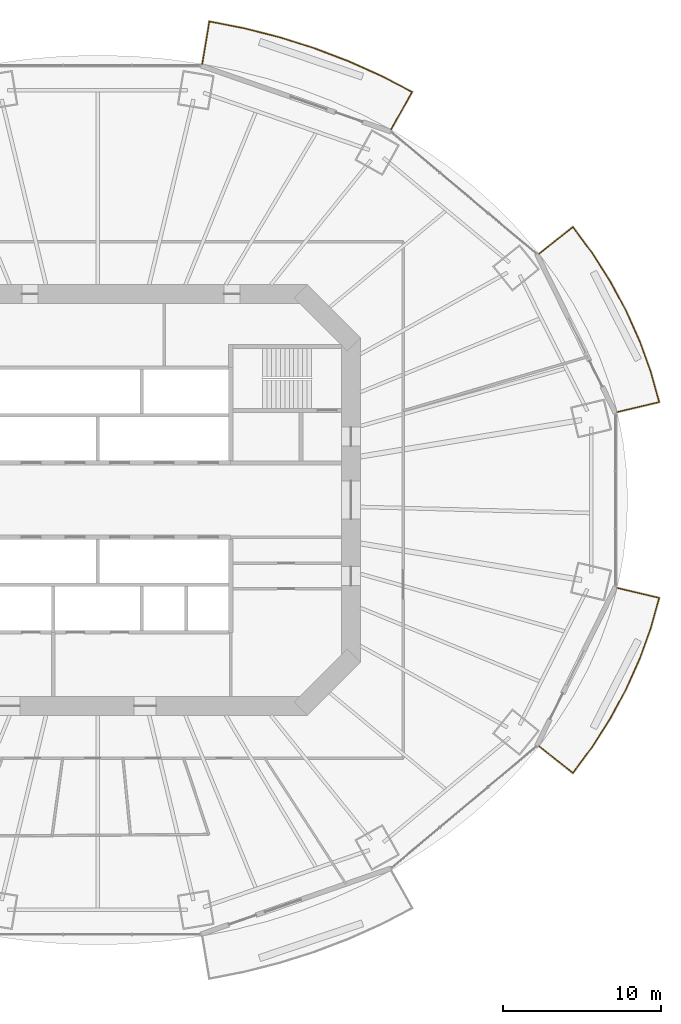
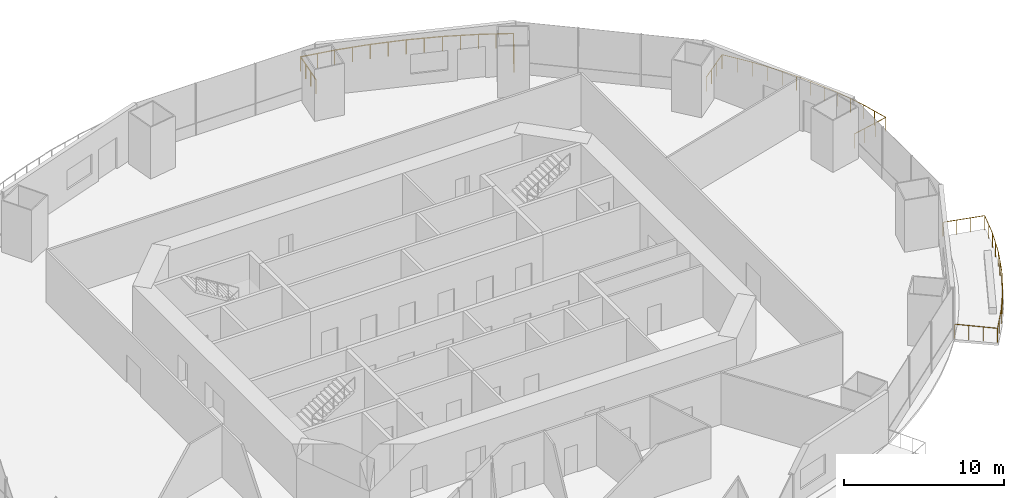
# One storey, part 17 of 18: 3 railings.
"""IFC4 building model written with IfcOpenShell, lengths in metres."""

from ifc_helpers import new_model, si_unit, direction, frame, origin, origin_2d, place, context, subcontext, project, spatial, circle, extrude, material, type_object, element, save


model = new_model("IFC4")

# Units and contexts
model_context = context("Model", 3, precision=1e-05, world=origin(), true_north=direction((0.0, 1.0)))
body_context = subcontext(model_context, "Body", "Model", "MODEL_VIEW")
ifc_project = project(units=[si_unit("LENGTHUNIT", "METRE"), si_unit("AREAUNIT", "SQUARE_METRE"), si_unit("VOLUMEUNIT", "CUBIC_METRE"), si_unit("PLANEANGLEUNIT", "RADIAN"), si_unit("MASSUNIT", "GRAM", prefix="KILO")], contexts=[model_context])

# Site, building, storey
site_placement = place(None, origin())
site = spatial("IfcSite", under=ifc_project, at=site_placement, CompositionType="ELEMENT")
building_placement = place(site_placement, origin())
building = spatial("IfcBuilding", under=site, at=building_placement, Name="Marenthal Gate Tower", CompositionType="ELEMENT")
storey_placement = place(building_placement, frame((0.0, 0.0, 140.89990234375)))
storey = spatial("IfcBuildingStorey", under=building, at=storey_placement, Name="L30", CompositionType="ELEMENT", Elevation=140.89990234375)

# Railings
ifc_material = material(Name="Stainless steel", Category="steel")
railing_type = type_object("IfcRailingType", Name="Balcony guard 1100", PredefinedType="GUARDRAIL", material=ifc_material)
railing_1_placement = place(storey_placement, frame((27.872314453125, 15.5361328125, 0.0)))
element("IfcRailing", 1, at=railing_1_placement, inside=storey, type_object=railing_type, Name="Balcony guard L30 bay 1", PredefinedType="GUARDRAIL", context=body_context, shape_type="SweptSolid", body=[
    extrude(circle(Radius=0.02392578125, at=origin_2d()), frame((0.0, 0.0, 1.076171875), z_axis=(0.782498431461, 0.622480688222, -0.014628655159), x_axis=(-0.622547303586, 0.782582171275, 0.0)), (0.0, 0.0, 1.0), 2.720458984375),
    extrude(circle(Radius=0.02392578125, at=origin_2d()), frame((2.128662109375, 1.693359375, 1.0361328125), z_axis=(0.594330839548, -0.80422064955, 0.0), x_axis=(0.80422064955, 0.594330839548, 0.0)), (0.0, 0.0, 1.0), 2.0517578125),
    extrude(circle(Radius=0.02392578125, at=origin_2d()), frame((3.34814453125, 0.043212890625, 1.0361328125), z_axis=(0.537211554798, -0.843447535649, 0.0), x_axis=(0.843447535649, 0.537211554798, 0.0)), (0.0, 0.0, 1.0), 2.114990234375),
    extrude(circle(Radius=0.02392578125, at=origin_2d()), frame((4.484375, -1.74072265625, 1.0361328125), z_axis=(0.475084098287, -0.879940395456, 0.0), x_axis=(0.879940395456, 0.475084098287, 0.0)), (0.0, 0.0, 1.0), 2.099853515625),
    extrude(circle(Radius=0.02392578125, at=origin_2d()), frame((5.48193359375, -3.58837890625, 1.0361328125), z_axis=(0.409274320643, -0.912411382252, 0.0), x_axis=(0.912411382252, 0.409274320643, 0.0)), (0.0, 0.0, 1.0), 2.0859375),
    extrude(circle(Radius=0.02392578125, at=origin_2d()), frame((6.335693359375, -5.49169921875, 1.0361328125), z_axis=(0.339927901039, -0.940451499066, 0.0), x_axis=(0.940451499066, 0.339927901039, 0.0)), (0.0, 0.0, 1.0), 2.07421875),
    extrude(circle(Radius=0.02392578125, at=origin_2d()), frame((7.040771484375, -7.4423828125, 1.0361328125), z_axis=(0.269159912303, -0.963095499735, 0.0), x_axis=(0.963095499735, 0.269159912303, 0.0)), (0.0, 0.0, 1.0), 1.984619140625),
    extrude(circle(Radius=0.02392578125, at=origin_2d()), frame((7.574951171875, -9.353759765625, 1.0361328125), z_axis=(-0.972968211955, -0.230475266885, 0.01462907652), x_axis=(0.230499932836, -0.973072341074, 0.0)), (0.0, 0.0, 1.0), 2.72021484375),
    extrude(circle(Radius=0.02099609375, at=origin_2d()), origin(), (0.0, 0.0, 1.0), 1.052001953125),
    extrude(circle(Radius=0.02099609375, at=origin_2d()), frame((0.70947265625, 0.564453125, -0.01318359375)), (0.0, 0.0, 1.0), 1.052001953125),
    extrude(circle(Radius=0.02099609375, at=origin_2d()), frame((1.419189453125, 1.12890625, -0.026611328125)), (0.0, 0.0, 1.0), 1.052001953125),
    extrude(circle(Radius=0.02099609375, at=origin_2d()), frame((2.128662109375, 1.693359375, -0.039794921875)), (0.0, 0.0, 1.0), 1.052001953125),
    extrude(circle(Radius=0.02099609375, at=origin_2d()), frame((2.73828125, 0.8681640625, -0.039794921875)), (0.0, 0.0, 1.0), 1.052001953125),
    extrude(circle(Radius=0.02099609375, at=origin_2d()), frame((3.34814453125, 0.043212890625, -0.039794921875)), (0.0, 0.0, 1.0), 1.052001953125),
    extrude(circle(Radius=0.02099609375, at=origin_2d()), frame((3.916259765625, -0.8486328125, -0.039794921875)), (0.0, 0.0, 1.0), 1.052001953125),
    extrude(circle(Radius=0.02099609375, at=origin_2d()), frame((4.484375, -1.74072265625, -0.039794921875)), (0.0, 0.0, 1.0), 1.052001953125),
    extrude(circle(Radius=0.02099609375, at=origin_2d()), frame((4.983154296875, -2.66455078125, -0.039794921875)), (0.0, 0.0, 1.0), 1.052001953125),
    extrude(circle(Radius=0.02099609375, at=origin_2d()), frame((5.48193359375, -3.58837890625, -0.039794921875)), (0.0, 0.0, 1.0), 1.052001953125),
    extrude(circle(Radius=0.02099609375, at=origin_2d()), frame((5.90869140625, -4.5400390625, -0.039794921875)), (0.0, 0.0, 1.0), 1.052001953125),
    extrude(circle(Radius=0.02099609375, at=origin_2d()), frame((6.335693359375, -5.49169921875, -0.039794921875)), (0.0, 0.0, 1.0), 1.052001953125),
    extrude(circle(Radius=0.02099609375, at=origin_2d()), frame((6.688232421875, -6.467041015625, -0.039794921875)), (0.0, 0.0, 1.0), 1.052001953125),
    extrude(circle(Radius=0.02099609375, at=origin_2d()), frame((7.040771484375, -7.4423828125, -0.039794921875)), (0.0, 0.0, 1.0), 1.052001953125),
    extrude(circle(Radius=0.02099609375, at=origin_2d()), frame((7.307861328125, -8.39794921875, -0.039794921875)), (0.0, 0.0, 1.0), 1.052001953125),
    extrude(circle(Radius=0.02099609375, at=origin_2d()), frame((7.574951171875, -9.353759765625, -0.039794921875)), (0.0, 0.0, 1.0), 1.052001953125),
    extrude(circle(Radius=0.02099609375, at=origin_2d()), frame((6.692626953125, -9.562744140625, -0.026611328125)), (0.0, 0.0, 1.0), 1.052001953125),
    extrude(circle(Radius=0.02099609375, at=origin_2d()), frame((5.810546875, -9.771728515625, -0.01318359375)), (0.0, 0.0, 1.0), 1.052001953125),
    extrude(circle(Radius=0.02099609375, at=origin_2d()), frame((4.92822265625, -9.980712890625, 0.0)), (0.0, 0.0, 1.0), 1.052001953125),
])
railing_2_placement = place(storey_placement, frame((6.60693359375, 27.5244140625, 0.0)))
element("IfcRailing", 2, at=railing_2_placement, inside=storey, type_object=railing_type, Name="Balcony guard L30 bay 3", PredefinedType="GUARDRAIL", context=body_context, shape_type="SweptSolid", body=[
    extrude(circle(Radius=0.02392578125, at=origin_2d()), frame((0.0, 0.0, 1.076171875), z_axis=(0.164774326367, 0.986222806342, -0.014628657515), x_axis=(-0.986328347949, 0.164791959854, 0.0)), (0.0, 0.0, 1.0), 2.720458984375),
    extrude(circle(Radius=0.02392578125, at=origin_2d()), frame((0.4482421875, 2.682861328125, 1.0361328125), z_axis=(0.981190742026, -0.193040741199, 0.0), x_axis=(0.193040741199, 0.981190742026, 0.0)), (0.0, 0.0, 1.0), 2.244873046875),
    extrude(circle(Radius=0.02392578125, at=origin_2d()), frame((2.65087890625, 2.24951171875, 1.0361328125), z_axis=(0.969110463154, -0.246627067057, 0.0), x_axis=(0.246627067057, 0.969110463154, 0.0)), (0.0, 0.0, 1.0), 2.3154296875),
    extrude(circle(Radius=0.02392578125, at=origin_2d()), frame((4.894775390625, 1.678466796875, 1.0361328125), z_axis=(0.953555439672, -0.301217568332, 0.0), x_axis=(0.301217568332, 0.953555439672, 0.0)), (0.0, 0.0, 1.0), 2.30419921875),
    extrude(circle(Radius=0.02392578125, at=origin_2d()), frame((7.092041015625, 0.984375, 1.0361328125), z_axis=(0.934725540452, -0.355370460261, 0.0), x_axis=(0.355370460261, 0.934725540452, 0.0)), (0.0, 0.0, 1.0), 2.291259765625),
    extrude(circle(Radius=0.02392578125, at=origin_2d()), frame((9.233642578125, 0.170166015625, 1.0361328125), z_axis=(0.912426484208, -0.409240651591, 0.0), x_axis=(0.409240651591, 0.912426484208, 0.0)), (0.0, 0.0, 1.0), 2.276611328125),
    extrude(circle(Radius=0.02392578125, at=origin_2d()), frame((11.310791015625, -0.761474609375, 1.0361328125), z_axis=(0.887053580422, -0.461666487261, 0.0), x_axis=(0.461666487261, 0.887053580422, 0.0)), (0.0, 0.0, 1.0), 2.180419921875),
    extrude(circle(Radius=0.02392578125, at=origin_2d()), frame((13.244873046875, -1.76806640625, 1.0361328125), z_axis=(-0.489305177168, -0.871989930551, 0.014628896529), x_axis=(0.872083250464, -0.489357542356, 0.0)), (0.0, 0.0, 1.0), 2.72021484375),
    extrude(circle(Radius=0.02099609375, at=origin_2d()), origin(), (0.0, 0.0, 1.0), 1.052001953125),
    extrude(circle(Radius=0.02099609375, at=origin_2d()), frame((0.1494140625, 0.894287109375, -0.01318359375)), (0.0, 0.0, 1.0), 1.052001953125),
    extrude(circle(Radius=0.02099609375, at=origin_2d()), frame((0.298828125, 1.78857421875, -0.026611328125)), (0.0, 0.0, 1.0), 1.052001953125),
    extrude(circle(Radius=0.02099609375, at=origin_2d()), frame((0.4482421875, 2.682861328125, -0.039794921875)), (0.0, 0.0, 1.0), 1.052001953125),
    extrude(circle(Radius=0.02099609375, at=origin_2d()), frame((1.549560546875, 2.46630859375, -0.039794921875)), (0.0, 0.0, 1.0), 1.052001953125),
    extrude(circle(Radius=0.02099609375, at=origin_2d()), frame((2.65087890625, 2.24951171875, -0.039794921875)), (0.0, 0.0, 1.0), 1.052001953125),
    extrude(circle(Radius=0.02099609375, at=origin_2d()), frame((3.77294921875, 1.9638671875, -0.039794921875)), (0.0, 0.0, 1.0), 1.052001953125),
    extrude(circle(Radius=0.02099609375, at=origin_2d()), frame((4.894775390625, 1.678466796875, -0.039794921875)), (0.0, 0.0, 1.0), 1.052001953125),
    extrude(circle(Radius=0.02099609375, at=origin_2d()), frame((5.993408203125, 1.33154296875, -0.039794921875)), (0.0, 0.0, 1.0), 1.052001953125),
    extrude(circle(Radius=0.02099609375, at=origin_2d()), frame((7.092041015625, 0.984375, -0.039794921875)), (0.0, 0.0, 1.0), 1.052001953125),
    extrude(circle(Radius=0.02099609375, at=origin_2d()), frame((8.162841796875, 0.5771484375, -0.039794921875)), (0.0, 0.0, 1.0), 1.052001953125),
    extrude(circle(Radius=0.02099609375, at=origin_2d()), frame((9.233642578125, 0.170166015625, -0.039794921875)), (0.0, 0.0, 1.0), 1.052001953125),
    extrude(circle(Radius=0.02099609375, at=origin_2d()), frame((10.272216796875, -0.295654296875, -0.039794921875)), (0.0, 0.0, 1.0), 1.052001953125),
    extrude(circle(Radius=0.02099609375, at=origin_2d()), frame((11.310791015625, -0.761474609375, -0.039794921875)), (0.0, 0.0, 1.0), 1.052001953125),
    extrude(circle(Radius=0.02099609375, at=origin_2d()), frame((12.27783203125, -1.2646484375, -0.039794921875)), (0.0, 0.0, 1.0), 1.052001953125),
    extrude(circle(Radius=0.02099609375, at=origin_2d()), frame((13.244873046875, -1.76806640625, -0.039794921875)), (0.0, 0.0, 1.0), 1.052001953125),
    extrude(circle(Radius=0.02099609375, at=origin_2d()), frame((12.80126953125, -2.558837890625, -0.026611328125)), (0.0, 0.0, 1.0), 1.052001953125),
    extrude(circle(Radius=0.02099609375, at=origin_2d()), frame((12.357421875, -3.349365234375, -0.01318359375)), (0.0, 0.0, 1.0), 1.052001953125),
    extrude(circle(Radius=0.02099609375, at=origin_2d()), frame((11.913818359375, -4.14013671875, 0.0)), (0.0, 0.0, 1.0), 1.052001953125),
])
railing_3_placement = place(storey_placement, frame((32.800537109375, -5.555419921875, 0.0)))
element("IfcRailing", 3, at=railing_3_placement, inside=storey, type_object=railing_type, Name="Balcony guard L30 bay 15", PredefinedType="GUARDRAIL", context=body_context, shape_type="SweptSolid", body=[
    extrude(circle(Radius=0.02392578125, at=origin_2d()), frame((0.0, 0.0, 1.076171875), z_axis=(0.972968211955, -0.230475266885, -0.01462907652), x_axis=(0.230499932836, 0.973072341074, 0.0)), (0.0, 0.0, 1.0), 2.72021484375),
    extrude(circle(Radius=0.02392578125, at=origin_2d()), frame((2.646728515625, -0.626953125, 1.0361328125), z_axis=(-0.269159912303, -0.963095499735, 0.0), x_axis=(0.963095499735, -0.269159912303, 0.0)), (0.0, 0.0, 1.0), 1.984619140625),
    extrude(circle(Radius=0.02392578125, at=origin_2d()), frame((2.112548828125, -2.538330078125, 1.0361328125), z_axis=(-0.339927901039, -0.940451499066, 0.0), x_axis=(0.940451499066, -0.339927901039, 0.0)), (0.0, 0.0, 1.0), 2.07421875),
    extrude(circle(Radius=0.02392578125, at=origin_2d()), frame((1.407470703125, -4.489013671875, 1.0361328125), z_axis=(-0.409274320643, -0.912411382252, 0.0), x_axis=(0.912411382252, -0.409274320643, 0.0)), (0.0, 0.0, 1.0), 2.0859375),
    extrude(circle(Radius=0.02392578125, at=origin_2d()), frame((0.5537109375, -6.392333984375, 1.0361328125), z_axis=(-0.475084098287, -0.879940395456, 0.0), x_axis=(0.879940395456, -0.475084098287, 0.0)), (0.0, 0.0, 1.0), 2.099853515625),
    extrude(circle(Radius=0.02392578125, at=origin_2d()), frame((-0.44384765625, -8.239990234375, 1.0361328125), z_axis=(-0.537211554798, -0.843447535649, 0.0), x_axis=(0.843447535649, -0.537211554798, 0.0)), (0.0, 0.0, 1.0), 2.114990234375),
    extrude(circle(Radius=0.02392578125, at=origin_2d()), frame((-1.580078125, -10.02392578125, 1.0361328125), z_axis=(-0.594330839548, -0.80422064955, 0.0), x_axis=(0.80422064955, -0.594330839548, 0.0)), (0.0, 0.0, 1.0), 2.0517578125),
    extrude(circle(Radius=0.02392578125, at=origin_2d()), frame((-2.799560546875, -11.674072265625, 1.0361328125), z_axis=(-0.782498431461, 0.622480688222, 0.014628655159), x_axis=(-0.622547303586, -0.782582171275, 0.0)), (0.0, 0.0, 1.0), 2.720458984375),
    extrude(circle(Radius=0.02099609375, at=origin_2d()), origin(), (0.0, 0.0, 1.0), 1.052001953125),
    extrude(circle(Radius=0.02099609375, at=origin_2d()), frame((0.88232421875, -0.208984375, -0.01318359375)), (0.0, 0.0, 1.0), 1.052001953125),
    extrude(circle(Radius=0.02099609375, at=origin_2d()), frame((1.764404296875, -0.41796875, -0.026611328125)), (0.0, 0.0, 1.0), 1.052001953125),
    extrude(circle(Radius=0.02099609375, at=origin_2d()), frame((2.646728515625, -0.626953125, -0.039794921875)), (0.0, 0.0, 1.0), 1.052001953125),
    extrude(circle(Radius=0.02099609375, at=origin_2d()), frame((2.379638671875, -1.58251953125, -0.039794921875)), (0.0, 0.0, 1.0), 1.052001953125),
    extrude(circle(Radius=0.02099609375, at=origin_2d()), frame((2.112548828125, -2.538330078125, -0.039794921875)), (0.0, 0.0, 1.0), 1.052001953125),
    extrude(circle(Radius=0.02099609375, at=origin_2d()), frame((1.760009765625, -3.513671875, -0.039794921875)), (0.0, 0.0, 1.0), 1.052001953125),
    extrude(circle(Radius=0.02099609375, at=origin_2d()), frame((1.407470703125, -4.489013671875, -0.039794921875)), (0.0, 0.0, 1.0), 1.052001953125),
    extrude(circle(Radius=0.02099609375, at=origin_2d()), frame((0.98046875, -5.440673828125, -0.039794921875)), (0.0, 0.0, 1.0), 1.052001953125),
    extrude(circle(Radius=0.02099609375, at=origin_2d()), frame((0.5537109375, -6.392333984375, -0.039794921875)), (0.0, 0.0, 1.0), 1.052001953125),
    extrude(circle(Radius=0.02099609375, at=origin_2d()), frame((0.054931640625, -7.316162109375, -0.039794921875)), (0.0, 0.0, 1.0), 1.052001953125),
    extrude(circle(Radius=0.02099609375, at=origin_2d()), frame((-0.44384765625, -8.239990234375, -0.039794921875)), (0.0, 0.0, 1.0), 1.052001953125),
    extrude(circle(Radius=0.02099609375, at=origin_2d()), frame((-1.011962890625, -9.1318359375, -0.039794921875)), (0.0, 0.0, 1.0), 1.052001953125),
    extrude(circle(Radius=0.02099609375, at=origin_2d()), frame((-1.580078125, -10.02392578125, -0.039794921875)), (0.0, 0.0, 1.0), 1.052001953125),
    extrude(circle(Radius=0.02099609375, at=origin_2d()), frame((-2.18994140625, -10.84912109375, -0.039794921875)), (0.0, 0.0, 1.0), 1.052001953125),
    extrude(circle(Radius=0.02099609375, at=origin_2d()), frame((-2.799560546875, -11.674072265625, -0.039794921875)), (0.0, 0.0, 1.0), 1.052001953125),
    extrude(circle(Radius=0.02099609375, at=origin_2d()), frame((-3.509033203125, -11.109619140625, -0.026611328125)), (0.0, 0.0, 1.0), 1.052001953125),
    extrude(circle(Radius=0.02099609375, at=origin_2d()), frame((-4.21875, -10.545166015625, -0.01318359375)), (0.0, 0.0, 1.0), 1.052001953125),
    extrude(circle(Radius=0.02099609375, at=origin_2d()), frame((-4.92822265625, -9.980712890625, 0.0)), (0.0, 0.0, 1.0), 1.052001953125),
])

save(model, "model.ifc")
